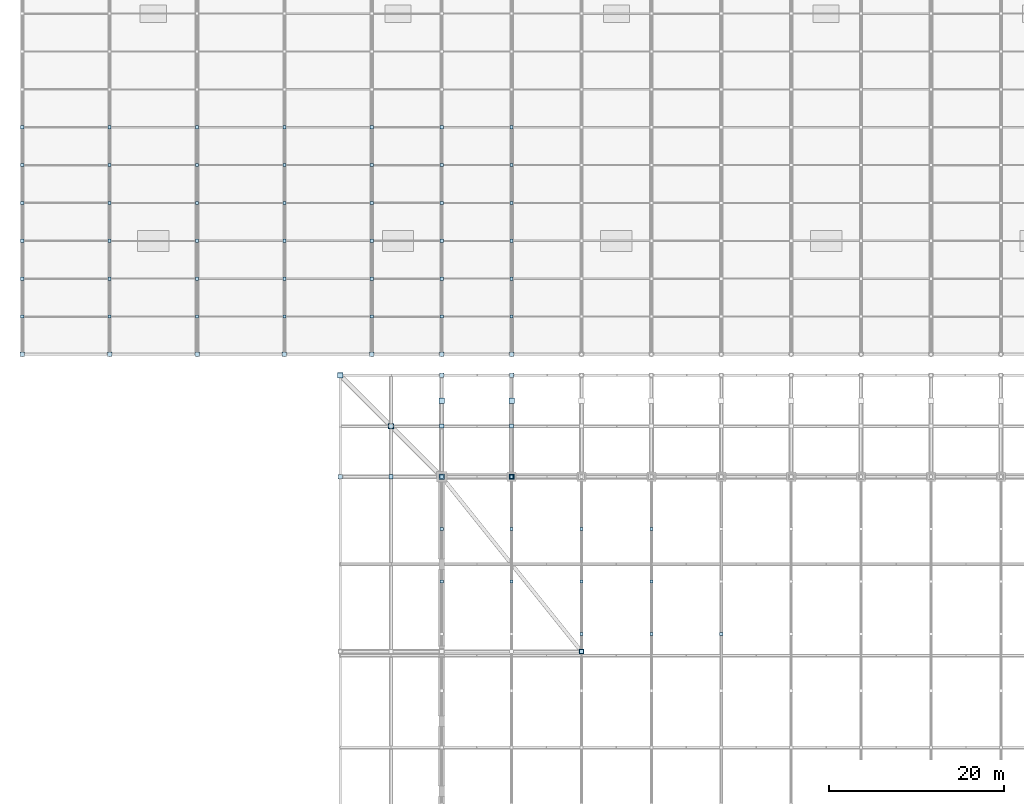
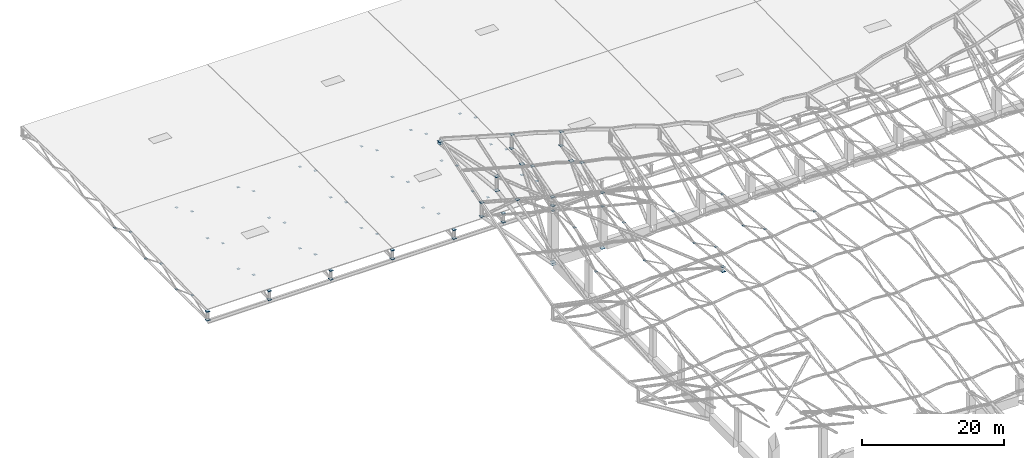
# One storey, part 61 of 75: 90 plates.
"""IFC4 building model written with IfcOpenShell, lengths in metres."""

from ifc_helpers import new_model, si_unit, direction, frame, origin, origin_2d, place, context, subcontext, project, spatial, rectangle, extrude, material, layer, layer_set, type_object, element, save


model = new_model("IFC4")

# Units and contexts
model_context = context("Model", 3, precision=1e-05, world=origin(), true_north=direction((0.0, 1.0)))
body_context = subcontext(model_context, "Body", "Model", "MODEL_VIEW")
ifc_project = project(units=[si_unit("LENGTHUNIT", "METRE"), si_unit("AREAUNIT", "SQUARE_METRE"), si_unit("VOLUMEUNIT", "CUBIC_METRE"), si_unit("PLANEANGLEUNIT", "RADIAN"), si_unit("MASSUNIT", "GRAM", prefix="KILO")], contexts=[model_context])

# Site, building, storey
site_placement = place(None, origin())
site = spatial("IfcSite", under=ifc_project, at=site_placement, CompositionType="ELEMENT")
building_placement = place(site_placement, origin())
building = spatial("IfcBuilding", under=site, at=building_placement, Name="Khorjan Park Terminus", CompositionType="ELEMENT")
storey_placement = place(building_placement, frame((0.0, 0.0, 16.2)))
storey = spatial("IfcBuildingStorey", under=building, at=storey_placement, Name="L03", CompositionType="ELEMENT", Elevation=16.2)

# Plates
ifc_material = material(Name="Steel S355", Category="steel")
ifc_layer_1 = layer(ifc_material, 0.022)
ifc_layer_set_1 = layer_set([ifc_layer_1], Name="Steel S355")
plate_type_1 = type_object("IfcPlateType", Name="PT-GUS-22", PredefinedType="SHEET", material=ifc_layer_set_1)
for number, where, z_axis, x_axis, name in (
    (1, (0.0, 106.3333, -1.0193), (0.0, 0.0, 1.0), (1.0, 0.0, 0.0), "Steel truss node cap plate NP-22 (RC2-GUS-END-0001)"),
    (2, (0.0, 110.6667, -2.611), (0.0, 0.0, 1.0), (1.0, 0.0, 0.0), "Steel truss node cap plate NP-22 (RC2-GUS-END-0002)"),
    (3, (0.0, 115.0, -0.836), (0.0, 0.0, 1.0), (1.0, 0.0, 0.0), "Steel truss node cap plate NP-22 (RC2-GUS-END-0003)"),
    (4, (0.0, 119.3333, -2.611), (0.0, 0.0, 1.0), (1.0, 0.0, 0.0), "Steel truss node cap plate NP-22 (RC2-GUS-END-0004)"),
    (5, (0.0, 123.6667, -0.6527), (0.0, 0.0, 1.0), (1.0, 0.0, 0.0), "Steel truss node cap plate NP-22 (RC2-GUS-END-0005)"),
    (6, (0.0, 128.0, -2.611), (0.0, 0.0, 1.0), (1.0, 0.0, 0.0), "Steel truss node cap plate NP-22 (RC2-GUS-END-0006)"),
    (7, (10.0, 106.3333, -1.0193), (0.0, 0.0, 1.0), (1.0, 0.0, 0.0), "Steel truss node cap plate NP-22 (RC2-GUS-END-0012)"),
    (8, (10.0, 110.6667, -2.611), (0.0, 0.0, 1.0), (1.0, 0.0, 0.0), "Steel truss node cap plate NP-22 (RC2-GUS-END-0013)"),
    (9, (10.0, 115.0, -0.836), (0.0, 0.0, 1.0), (1.0, 0.0, 0.0), "Steel truss node cap plate NP-22 (RC2-GUS-END-0014)"),
    (10, (10.0, 119.3333, -2.611), (0.0, 0.0, 1.0), (1.0, 0.0, 0.0), "Steel truss node cap plate NP-22 (RC2-GUS-END-0015)"),
    (11, (10.0, 123.6667, -0.6527), (0.0, 0.0, 1.0), (1.0, 0.0, 0.0), "Steel truss node cap plate NP-22 (RC2-GUS-END-0016)"),
    (12, (10.0, 128.0, -2.611), (0.0, 0.0, 1.0), (1.0, 0.0, 0.0), "Steel truss node cap plate NP-22 (RC2-GUS-END-0017)"),
    (13, (20.0, 106.3333, -1.0193), (0.0, 0.0, 1.0), (1.0, 0.0, 0.0), "Steel truss node cap plate NP-22 (RC2-GUS-END-0023)"),
    (14, (20.0, 110.6667, -2.611), (0.0, 0.0, 1.0), (1.0, 0.0, 0.0), "Steel truss node cap plate NP-22 (RC2-GUS-END-0024)"),
    (15, (20.0, 115.0, -0.836), (0.0, 0.0, 1.0), (1.0, 0.0, 0.0), "Steel truss node cap plate NP-22 (RC2-GUS-END-0025)"),
    (16, (20.0, 119.3333, -2.611), (0.0, 0.0, 1.0), (1.0, 0.0, 0.0), "Steel truss node cap plate NP-22 (RC2-GUS-END-0026)"),
    (17, (20.0, 123.6667, -0.6527), (0.0, 0.0, 1.0), (1.0, 0.0, 0.0), "Steel truss node cap plate NP-22 (RC2-GUS-END-0027)"),
    (18, (20.0, 128.0, -2.611), (0.0, 0.0, 1.0), (1.0, 0.0, 0.0), "Steel truss node cap plate NP-22 (RC2-GUS-END-0028)"),
    (19, (30.0, 106.3333, -1.0193), (0.0, 0.0, 1.0), (1.0, 0.0, 0.0), "Steel truss node cap plate NP-22 (RC2-GUS-END-0034)"),
    (20, (30.0, 110.6667, -2.611), (0.0, 0.0, 1.0), (1.0, 0.0, 0.0), "Steel truss node cap plate NP-22 (RC2-GUS-END-0035)"),
    (21, (30.0, 115.0, -0.836), (0.0, 0.0, 1.0), (1.0, 0.0, 0.0), "Steel truss node cap plate NP-22 (RC2-GUS-END-0036)"),
    (22, (30.0, 119.3333, -2.611), (0.0, 0.0, 1.0), (1.0, 0.0, 0.0), "Steel truss node cap plate NP-22 (RC2-GUS-END-0037)"),
    (23, (30.0, 123.6667, -0.6527), (0.0, 0.0, 1.0), (1.0, 0.0, 0.0), "Steel truss node cap plate NP-22 (RC2-GUS-END-0038)"),
    (24, (30.0, 128.0, -2.611), (0.0, 0.0, 1.0), (1.0, 0.0, 0.0), "Steel truss node cap plate NP-22 (RC2-GUS-END-0039)"),
    (25, (40.0, 106.3333, -1.0193), (0.0, 0.0, 1.0), (1.0, 0.0, 0.0), "Steel truss node cap plate NP-22 (RC2-GUS-END-0045)"),
    (26, (40.0, 110.6667, -2.611), (0.0, 0.0, 1.0), (1.0, 0.0, 0.0), "Steel truss node cap plate NP-22 (RC2-GUS-END-0046)"),
    (27, (40.0, 115.0, -0.836), (0.0, 0.0, 1.0), (1.0, 0.0, 0.0), "Steel truss node cap plate NP-22 (RC2-GUS-END-0047)"),
    (28, (40.0, 119.3333, -2.611), (0.0, 0.0, 1.0), (1.0, 0.0, 0.0), "Steel truss node cap plate NP-22 (RC2-GUS-END-0048)"),
    (29, (40.0, 123.6667, -0.6527), (0.0, 0.0, 1.0), (1.0, 0.0, 0.0), "Steel truss node cap plate NP-22 (RC2-GUS-END-0049)"),
    (30, (40.0, 128.0, -2.611), (0.0, 0.0, 1.0), (1.0, 0.0, 0.0), "Steel truss node cap plate NP-22 (RC2-GUS-END-0050)"),
    (31, (48.0, 106.3333, -1.0193), (0.0, 0.0, 1.0), (1.0, 0.0, 0.0), "Steel truss node cap plate NP-22 (RC2-GUS-END-0056)"),
    (32, (48.0, 110.6667, -2.611), (0.0, 0.0, 1.0), (1.0, 0.0, 0.0), "Steel truss node cap plate NP-22 (RC2-GUS-END-0057)"),
    (33, (48.0, 115.0, -0.836), (0.0, 0.0, 1.0), (1.0, 0.0, 0.0), "Steel truss node cap plate NP-22 (RC2-GUS-END-0058)"),
    (34, (48.0, 119.3333, -2.611), (0.0, 0.0, 1.0), (1.0, 0.0, 0.0), "Steel truss node cap plate NP-22 (RC2-GUS-END-0059)"),
    (35, (48.0, 123.6667, -0.6527), (0.0, 0.0, 1.0), (1.0, 0.0, 0.0), "Steel truss node cap plate NP-22 (RC2-GUS-END-0060)"),
    (36, (48.0, 128.0, -2.611), (0.0, 0.0, 1.0), (1.0, 0.0, 0.0), "Steel truss node cap plate NP-22 (RC2-GUS-END-0061)"),
    (37, (56.0, 106.3333, -1.0193), (0.0, 0.0, 1.0), (1.0, 0.0, 0.0), "Steel truss node cap plate NP-22 (RC2-GUS-END-0067)"),
    (38, (56.0, 110.6667, -2.611), (0.0, 0.0, 1.0), (1.0, 0.0, 0.0), "Steel truss node cap plate NP-22 (RC2-GUS-END-0068)"),
    (39, (56.0, 115.0, -0.836), (0.0, 0.0, 1.0), (1.0, 0.0, 0.0), "Steel truss node cap plate NP-22 (RC2-GUS-END-0069)"),
    (40, (56.0, 119.3333, -2.611), (0.0, 0.0, 1.0), (1.0, 0.0, 0.0), "Steel truss node cap plate NP-22 (RC2-GUS-END-0070)"),
    (41, (56.0, 123.6667, -0.6527), (0.0, 0.0, 1.0), (1.0, 0.0, 0.0), "Steel truss node cap plate NP-22 (RC2-GUS-END-0071)"),
    (42, (56.0, 128.0, -2.611), (0.0, 0.0, 1.0), (1.0, 0.0, 0.0), "Steel truss node cap plate NP-22 (RC2-GUS-END-0072)"),
    (43, (48.0, 76.0, 4.6723), (0.0, 0.0, 1.0), (1.0, 0.0, 0.0), "Steel truss node cap plate NP-22 (RC2-GUS-END-0220)"),
    (44, (48.0, 82.0, 8.5601), (0.0, 0.0, 1.0), (1.0, 0.0, 0.0), "Steel truss node cap plate NP-22 (RC2-GUS-END-0221)"),
    (45, (48.0, 88.0, 7.8086), (0.0, 0.0, 1.0), (1.0, 0.0, 0.0), "Steel truss node cap plate NP-22 (RC2-GUS-END-0222)"),
    (46, (56.0, 76.0, 3.7295), (0.0, 0.0, 1.0), (1.0, 0.0, 0.0), "Steel truss node cap plate NP-22 (RC2-GUS-END-0239)"),
    (47, (56.0, 82.0, 6.6279), (0.0, 0.0, 1.0), (1.0, 0.0, 0.0), "Steel truss node cap plate NP-22 (RC2-GUS-END-0240)"),
    (48, (56.0, 88.0, 5.73), (0.0, 0.0, 1.0), (1.0, 0.0, 0.0), "Steel truss node cap plate NP-22 (RC2-GUS-END-0241)"),
    (49, (64.0, 70.0, 6.9114), (0.0, 0.0, 1.0), (1.0, 0.0, 0.0), "Steel truss node cap plate NP-22 (RC2-GUS-END-0257)"),
    (50, (64.0, 76.0, 3.9231), (0.0, 0.0, 1.0), (1.0, 0.0, 0.0), "Steel truss node cap plate NP-22 (RC2-GUS-END-0258)"),
    (51, (64.0, 82.0, 5.7347), (0.0, 0.0, 1.0), (1.0, 0.0, 0.0), "Steel truss node cap plate NP-22 (RC2-GUS-END-0259)"),
    (52, (72.0, 70.0, 7.1542), (0.0, 0.0, 1.0), (1.0, 0.0, 0.0), "Steel truss node cap plate NP-22 (RC2-GUS-END-0276)"),
    (53, (72.0, 76.0, 4.1166), (0.0, 0.0, 1.0), (1.0, 0.0, 0.0), "Steel truss node cap plate NP-22 (RC2-GUS-END-0277)"),
    (54, (72.0, 82.0, 5.8791), (0.0, 0.0, 1.0), (1.0, 0.0, 0.0), "Steel truss node cap plate NP-22 (RC2-GUS-END-0278)"),
    (55, (80.0, 70.0, 7.3969), (0.0, 0.0, 1.0), (1.0, 0.0, 0.0), "Steel truss node cap plate NP-22 (RC2-GUS-END-0295)"),
):
    element("IfcPlate", number, at=place(storey_placement, frame(where, z_axis=z_axis, x_axis=x_axis)), inside=storey, type_object=plate_type_1, Name=name, PredefinedType="SHEET", context=body_context, shape_type="SweptSolid", body=[
        extrude(rectangle(XDim=0.36, YDim=0.36, at=origin_2d()), origin(), (0.0, 0.0, 1.0), 0.022),
    ])
for number, where, z_axis, x_axis, name in (
    (56, (64.0, 68.0, 4.7075), (0.0, 0.0, 1.0), (1.0, 0.0, 0.0), "Steel truss node cap plate NP-22 (RC2-GUS-END-0458)"),
    (57, (56.0, 88.0, 8.13), (0.0, 0.0, 1.0), (1.0, 0.0, 0.0), "Steel truss node cap plate NP-22 (RC2-GUS-END-0468)"),
):
    element("IfcPlate", number, at=place(storey_placement, frame(where, z_axis=z_axis, x_axis=x_axis)), inside=storey, type_object=plate_type_1, Name=name, PredefinedType="SHEET", context=body_context, shape_type="SweptSolid", body=[
        extrude(rectangle(XDim=0.49, YDim=0.49, at=origin_2d()), origin(), (0.0, 0.0, 1.0), 0.022),
    ])
ifc_layer_2 = layer(ifc_material, 0.025)
ifc_layer_set_2 = layer_set([ifc_layer_2], Name="Steel S355")
plate_type_2 = type_object("IfcPlateType", Name="PT-GUSE-25", PredefinedType="SHEET", material=ifc_layer_set_2)
for number, where, z_axis, x_axis, name in (
    (58, (0.0, 102.0, -2.6125), (0.0, 0.0, 1.0), (1.0, 0.0, 0.0), "Steel truss node cap plate NPE-25 (RC2-NP-V1-T01-SB)"),
    (59, (10.0, 102.0, -2.6125), (0.0, 0.0, 1.0), (1.0, 0.0, 0.0), "Steel truss node cap plate NPE-25 (RC2-NP-V1-T02-SB)"),
    (60, (20.0, 102.0, -2.6125), (0.0, 0.0, 1.0), (1.0, 0.0, 0.0), "Steel truss node cap plate NPE-25 (RC2-NP-V1-T03-SB)"),
    (61, (30.0, 102.0, -2.6125), (0.0, 0.0, 1.0), (1.0, 0.0, 0.0), "Steel truss node cap plate NPE-25 (RC2-NP-V1-T04-SB)"),
    (62, (40.0, 102.0, -2.6125), (0.0, 0.0, 1.0), (1.0, 0.0, 0.0), "Steel truss node cap plate NPE-25 (RC2-NP-V1-T05-SB)"),
    (63, (48.0, 102.0, -2.6125), (0.0, 0.0, 1.0), (1.0, 0.0, 0.0), "Steel truss node cap plate NPE-25 (RC2-NP-V1-T06-SB)"),
    (64, (56.0, 102.0, -2.6125), (0.0, 0.0, 1.0), (1.0, 0.0, 0.0), "Steel truss node cap plate NPE-25 (RC2-NP-V1-T07-SB)"),
):
    element("IfcPlate", number, at=place(storey_placement, frame(where, z_axis=z_axis, x_axis=x_axis)), inside=storey, type_object=plate_type_2, Name=name, PredefinedType="SHEET", context=body_context, shape_type="SweptSolid", body=[
        extrude(rectangle(XDim=0.52, YDim=0.52, at=origin_2d()), origin(), (0.0, 0.0, 1.0), 0.025),
    ])
plate_1_placement = place(storey_placement, frame((64.0, 68.0, 3.936), z_axis=(0.0, 0.0, 1.0), x_axis=(1.0, 0.0, 0.0)))
element("IfcPlate", 65, at=plate_1_placement, inside=storey, type_object=plate_type_2, Name="Steel truss node cap plate NPE-25 (RC2-NP-UCRN-BK-NW)", PredefinedType="SHEET", context=body_context, shape_type="SweptSolid", body=[
    extrude(rectangle(XDim=0.56, YDim=0.56, at=origin_2d()), origin(), (0.0, 0.0, 1.0), 0.025),
])
for number, where, z_axis, x_axis, name in (
    (66, (48.0, 93.8, 11.9533), (0.0, 0.0, 1.0), (1.0, 0.0, 0.0), "Steel truss node cap plate NPE-25 (RC2-GUS-END-0223)"),
    (67, (48.0, 99.6, 11.4496), (0.0, 0.0, 1.0), (1.0, 0.0, 0.0), "Steel truss node cap plate NPE-25 (RC2-GUS-END-0224)"),
):
    element("IfcPlate", number, at=place(storey_placement, frame(where, z_axis=z_axis, x_axis=x_axis)), inside=storey, type_object=plate_type_2, Name=name, PredefinedType="SHEET", context=body_context, shape_type="SweptSolid", body=[
        extrude(rectangle(XDim=0.49, YDim=0.49, at=origin_2d()), origin(), (0.0, 0.0, 1.0), 0.025),
    ])
for number, where, z_axis, x_axis, name in (
    (68, (48.0, 88.0, -1.4125), (0.0, 0.0, 1.0), (1.0, 0.0, 0.0), "Steel truss node cap plate NPE-25 (RC2-GUS-END-0227)"),
    (69, (48.0, 96.7, 10.5014), (0.0, 0.0, 1.0), (1.0, 0.0, 0.0), "Steel truss node cap plate NPE-25 (RC2-GUS-END-0228)"),
):
    element("IfcPlate", number, at=place(storey_placement, frame(where, z_axis=z_axis, x_axis=x_axis)), inside=storey, type_object=plate_type_2, Name=name, PredefinedType="SHEET", context=body_context, shape_type="SweptSolid", body=[
        extrude(rectangle(XDim=0.64, YDim=0.64, at=origin_2d()), origin(), (0.0, 0.0, 1.0), 0.025),
    ])
for number, where, z_axis, x_axis, name in (
    (70, (56.0, 93.8, 9.7486), (0.0, 0.0, 1.0), (1.0, 0.0, 0.0), "Steel truss node cap plate NPE-25 (RC2-GUS-END-0242)"),
    (71, (56.0, 99.6, 9.1338), (0.0, 0.0, 1.0), (1.0, 0.0, 0.0), "Steel truss node cap plate NPE-25 (RC2-GUS-END-0243)"),
):
    element("IfcPlate", number, at=place(storey_placement, frame(where, z_axis=z_axis, x_axis=x_axis)), inside=storey, type_object=plate_type_2, Name=name, PredefinedType="SHEET", context=body_context, shape_type="SweptSolid", body=[
        extrude(rectangle(XDim=0.49, YDim=0.49, at=origin_2d()), origin(), (0.0, 0.0, 1.0), 0.025),
    ])
for number, where, z_axis, x_axis, name in (
    (72, (56.0, 88.0, -1.4125), (0.0, 0.0, 1.0), (1.0, 0.0, 0.0), "Steel truss node cap plate NPE-25 (RC2-GUS-END-0246)"),
    (73, (56.0, 96.7, 8.2412), (0.0, 0.0, 1.0), (1.0, 0.0, 0.0), "Steel truss node cap plate NPE-25 (RC2-GUS-END-0247)"),
):
    element("IfcPlate", number, at=place(storey_placement, frame(where, z_axis=z_axis, x_axis=x_axis)), inside=storey, type_object=plate_type_2, Name=name, PredefinedType="SHEET", context=body_context, shape_type="SweptSolid", body=[
        extrude(rectangle(XDim=0.64, YDim=0.64, at=origin_2d()), origin(), (0.0, 0.0, 1.0), 0.025),
    ])
for number, where, z_axis, x_axis, name in (
    (74, (36.4, 88.0, 10.8804), (0.0, 0.0, 1.0), (1.0, 0.0, 0.0), "Steel truss node cap plate NPE-25 (RC2-GUS-END-0466)"),
    (75, (42.2, 88.0, 11.735), (0.0, 0.0, 1.0), (1.0, 0.0, 0.0), "Steel truss node cap plate NPE-25 (RC2-GUS-END-0467)"),
):
    element("IfcPlate", number, at=place(storey_placement, frame(where, z_axis=z_axis, x_axis=x_axis)), inside=storey, type_object=plate_type_2, Name=name, PredefinedType="SHEET", context=body_context, shape_type="SweptSolid", body=[
        extrude(rectangle(XDim=0.49, YDim=0.49, at=origin_2d()), origin(), (0.0, 0.0, 1.0), 0.025),
    ])
for number, where, z_axis, x_axis, name in (
    (76, (48.0, 88.0, -1.0125), (0.0, 0.0, 1.0), (1.0, 0.0, 0.0), "Steel truss node cap plate NPE-25 (RC2-GUS-END-0480)"),
    (77, (42.2, 93.8, 9.7922), (0.0, 0.0, 1.0), (1.0, 0.0, 0.0), "Steel truss node cap plate NPE-25 (RC2-GUS-END-0481)"),
    (78, (36.4, 99.6, 16.3375), (0.0, 0.0, 1.0), (1.0, 0.0, 0.0), "Steel truss node cap plate NPE-25 (RC2-GUS-END-0482)"),
):
    element("IfcPlate", number, at=place(storey_placement, frame(where, z_axis=z_axis, x_axis=x_axis)), inside=storey, type_object=plate_type_2, Name=name, PredefinedType="SHEET", context=body_context, shape_type="SweptSolid", body=[
        extrude(rectangle(XDim=0.64, YDim=0.64, at=origin_2d()), origin(), (0.0, 0.0, 1.0), 0.025),
    ])
plate_2_placement = place(storey_placement, frame((42.2, 93.8, 12.1922), z_axis=(0.0, 0.0, 1.0), x_axis=(1.0, 0.0, 0.0)))
element("IfcPlate", 79, at=plate_2_placement, inside=storey, type_object=plate_type_2, Name="Steel truss node cap plate NPE-25 (RC2-GUS-END-0483)", PredefinedType="SHEET", context=body_context, shape_type="SweptSolid", body=[
    extrude(rectangle(XDim=0.59, YDim=0.59, at=origin_2d()), origin(), (0.0, 0.0, 1.0), 0.025),
])
ifc_layer_3 = layer(ifc_material, 0.03)
ifc_layer_set_3 = layer_set([ifc_layer_3], Name="Steel S355")
plate_type_3 = type_object("IfcPlateType", Name="PT-GUSE-30", PredefinedType="SHEET", material=ifc_layer_set_3)
for number, where, z_axis, x_axis, name in (
    (80, (0.0, 102.0, -1.115), (0.0, 0.0, 1.0), (1.0, 0.0, 0.0), "Steel truss node cap plate NPE-30 (RC2-NP-V1-T01-ST)"),
    (81, (10.0, 102.0, -1.115), (0.0, 0.0, 1.0), (1.0, 0.0, 0.0), "Steel truss node cap plate NPE-30 (RC2-NP-V1-T02-ST)"),
    (82, (20.0, 102.0, -1.115), (0.0, 0.0, 1.0), (1.0, 0.0, 0.0), "Steel truss node cap plate NPE-30 (RC2-NP-V1-T03-ST)"),
    (83, (30.0, 102.0, -1.115), (0.0, 0.0, 1.0), (1.0, 0.0, 0.0), "Steel truss node cap plate NPE-30 (RC2-NP-V1-T04-ST)"),
    (84, (40.0, 102.0, -1.115), (0.0, 0.0, 1.0), (1.0, 0.0, 0.0), "Steel truss node cap plate NPE-30 (RC2-NP-V1-T05-ST)"),
    (85, (48.0, 102.0, -1.115), (0.0, 0.0, 1.0), (1.0, 0.0, 0.0), "Steel truss node cap plate NPE-30 (RC2-NP-V1-T06-ST)"),
    (86, (56.0, 102.0, -1.115), (0.0, 0.0, 1.0), (1.0, 0.0, 0.0), "Steel truss node cap plate NPE-30 (RC2-NP-V1-T07-ST)"),
    (87, (48.0, 99.6, 13.8471), (0.0, 0.0, 1.0), (1.0, 0.0, 0.0), "Steel truss node cap plate NPE-30 (RC2-NP-UTR01-N)"),
    (88, (56.0, 99.6, 11.5313), (0.0, 0.0, 1.0), (1.0, 0.0, 0.0), "Steel truss node cap plate NPE-30 (RC2-NP-UTR02-N)"),
    (89, (36.4, 88.0, 13.2779), (0.0, 0.0, 1.0), (1.0, 0.0, 0.0), "Steel truss node cap plate NPE-30 (RC2-NP-ULN-W4-T)"),
):
    element("IfcPlate", number, at=place(storey_placement, frame(where, z_axis=z_axis, x_axis=x_axis)), inside=storey, type_object=plate_type_3, Name=name, PredefinedType="SHEET", context=body_context, shape_type="SweptSolid", body=[
        extrude(rectangle(XDim=0.52, YDim=0.52, at=origin_2d()), origin(), (0.0, 0.0, 1.0), 0.03),
    ])
ifc_layer_4 = layer(ifc_material, 0.035)
ifc_layer_set_4 = layer_set([ifc_layer_4], Name="Steel S355")
plate_type_4 = type_object("IfcPlateType", Name="PT-GUSE-35", PredefinedType="SHEET", material=ifc_layer_set_4)
plate_3_placement = place(storey_placement, frame((36.4, 99.6, 16.7325), z_axis=(0.0, 0.0, 1.0), x_axis=(1.0, 0.0, 0.0)))
element("IfcPlate", 90, at=plate_3_placement, inside=storey, type_object=plate_type_4, Name="Steel truss node cap plate NPE-35 (RC2-NP-UCRN-NW)", PredefinedType="SHEET", context=body_context, shape_type="SweptSolid", body=[
    extrude(rectangle(XDim=0.6, YDim=0.6, at=origin_2d()), origin(), (0.0, 0.0, 1.0), 0.035),
])

save(model, "model.ifc")
